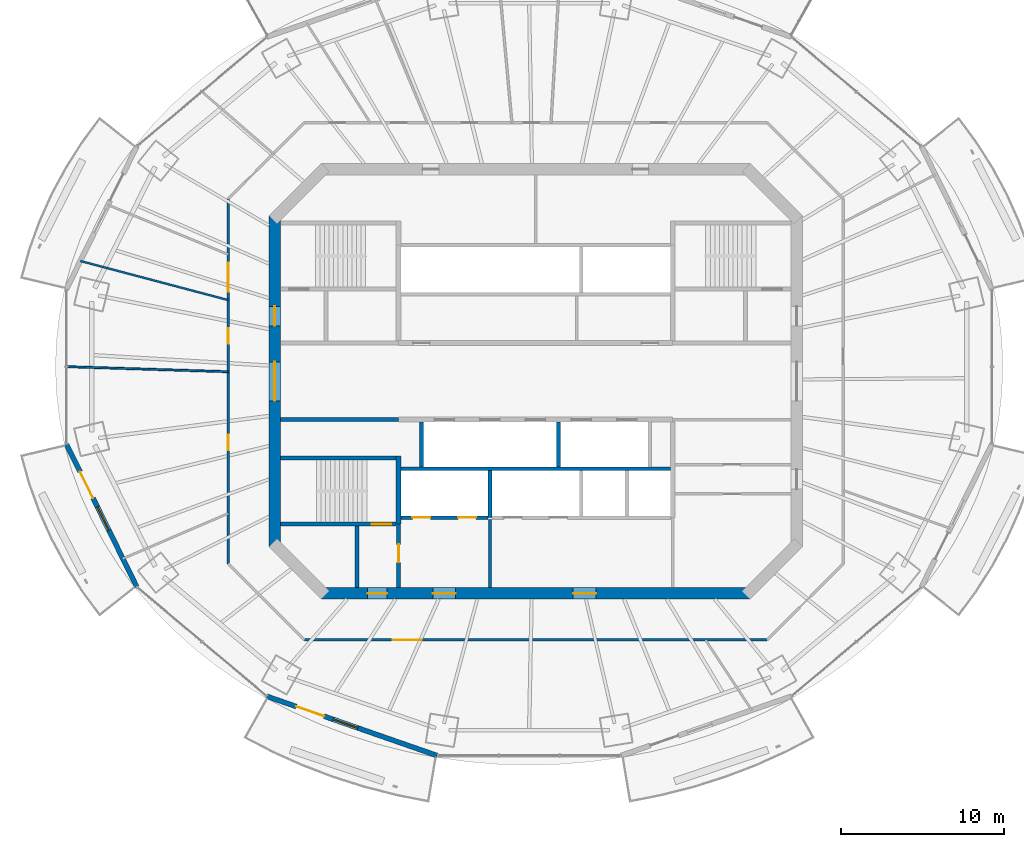
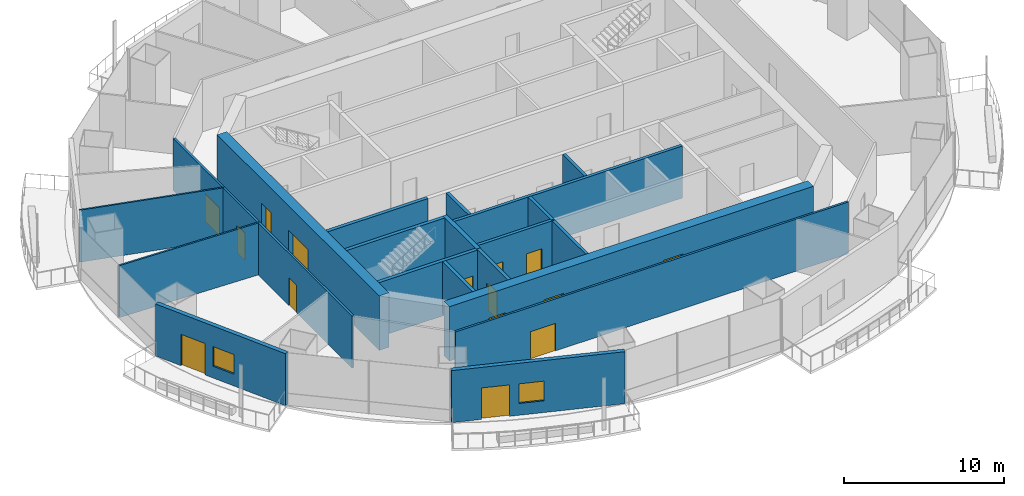
# One storey, part 8 of 16: 20 walls, 15 doors, 2 windows, 17 openings.
"""IFC4 building model written with IfcOpenShell, lengths in metres."""

from ifc_helpers import new_model, si_unit, direction, frame, frame_2d, origin, place, context, subcontext, project, spatial, rectangle, extrude, material, layer, layer_set, type_object, element, fill, save


model = new_model("IFC4")

# Units and contexts
model_context = context("Model", 3, precision=1e-05, world=origin(), true_north=direction((0.0, 1.0)))
body_context = subcontext(model_context, "Body", "Model", "MODEL_VIEW")
ifc_project = project(units=[si_unit("LENGTHUNIT", "METRE"), si_unit("AREAUNIT", "SQUARE_METRE"), si_unit("VOLUMEUNIT", "CUBIC_METRE"), si_unit("PLANEANGLEUNIT", "RADIAN"), si_unit("MASSUNIT", "GRAM", prefix="KILO")], contexts=[model_context])

# Site, building, storey
site_placement = place(None, origin())
site = spatial("IfcSite", under=ifc_project, at=site_placement, CompositionType="ELEMENT")
building_placement = place(site_placement, origin())
building = spatial("IfcBuilding", under=site, at=building_placement, Name="Marenthal Gate Tower", CompositionType="ELEMENT")
storey_placement = place(building_placement, frame((0.0, 0.0, 284.5)))
storey = spatial("IfcBuildingStorey", under=building, at=storey_placement, Name="L63", CompositionType="ELEMENT", Elevation=284.5)

# Wall, openings, doors
ifc_material_1 = material(Name="Concrete 60 MPa", Category="concrete")
ifc_layer_1 = layer(ifc_material_1, 0.699951171875)
ifc_layer_set_1 = layer_set([ifc_layer_1], Name="Core shear wall 700")
wall_type_1 = type_object("IfcWallType", Name="Core shear wall 700", PredefinedType="SHEAR", material=ifc_layer_set_1)
wall_1_placement = place(storey_placement, frame((-16.0, 10.14501953125, -0.179931640625), z_axis=(0.0, 0.0, 1.0), x_axis=(0.0, -1.0, 0.0)))
wall_1 = element("IfcWall", 1, at=wall_1_placement, inside=storey, type_object=wall_type_1, Name="Core wall 06", PredefinedType="SHEAR", context=body_context, shape_type="SweptSolid", body=[
    extrude(rectangle(XDim=20.2900390625, YDim=0.699951171875, at=frame_2d((10.14501953125, 0.0))), origin(), (0.0, 0.0, 1.0), 4.14990234375),
])
opening_1_placement = place(wall_1_placement, frame((8.945068359375, 0.0, 0.179931640625)))
opening_1 = element("IfcOpeningElement", 2, at=opening_1_placement, cuts=wall_1, Name="Opening D003.01", PredefinedType="OPENING", context=body_context, shape_type="SweptSolid", body=[
    extrude(rectangle(XDim=2.39990234375, YDim=2.10009765625, at=frame_2d((1.199951171875, 1.050048828125))), frame((0.0, 0.35986328125, 0.0), z_axis=(0.0, -1.0, 0.0), x_axis=(1.0, 0.0, 0.0)), (0.0, 0.0, 1.0), 0.719970703125),
])
opening_2_placement = place(wall_1_placement, frame((5.544921875, 0.0, 0.179931640625)))
opening_2 = element("IfcOpeningElement", 3, at=opening_2_placement, cuts=wall_1, Name="Opening D001.04", PredefinedType="OPENING", context=body_context, shape_type="SweptSolid", body=[
    extrude(rectangle(XDim=1.199951171875, YDim=2.10009765625, at=frame_2d((0.60009765625, 1.050048828125))), frame((0.0, 0.35986328125, 0.0), z_axis=(0.0, -1.0, 0.0), x_axis=(1.0, 0.0, 0.0)), (0.0, 0.0, 1.0), 0.719970703125),
])
ifc_material_2 = material(Name="Steel fire door", Category="steel")
door_type_1 = type_object("IfcDoorType", Name="Double fire door FD 45 2400 x 2100", OperationType="DOUBLE_DOOR_SINGLE_SWING", PredefinedType="DOOR", material=ifc_material_2)
door_1_placement = place(opening_1_placement, origin())
door_1 = element("IfcDoor", 4, at=door_1_placement, inside=storey, type_object=door_type_1, Name="Door D003.01", OperationType="DOUBLE_DOOR_SINGLE_SWING", OverallHeight=2.10009765625, OverallWidth=2.39990234375, PredefinedType="DOOR", context=body_context, shape_type="SweptSolid", body=[
    extrude(rectangle(XDim=2.39990234375, YDim=2.10009765625, at=frame_2d((1.199951171875, 1.050048828125))), frame((0.0, 0.02490234375, 0.0), z_axis=(0.0, -1.0, 0.0), x_axis=(1.0, 0.0, 0.0)), (0.0, 0.0, 1.0), 0.050048828125),
])
fill(opening_1, door_1)
ifc_material_3 = material(Name="Steel fire door", Category="steel")
door_type_2 = type_object("IfcDoorType", Name="Fire door FD 90 1200 x 2100", OperationType="NOTDEFINED", PredefinedType="DOOR", material=ifc_material_3)
door_2_placement = place(opening_2_placement, origin())
door_2 = element("IfcDoor", 5, at=door_2_placement, inside=storey, type_object=door_type_2, Name="Door D001.04", OperationType="SINGLE_SWING_RIGHT", OverallHeight=2.10009765625, OverallWidth=1.199951171875, PredefinedType="DOOR", context=body_context, shape_type="SweptSolid", body=[
    extrude(rectangle(XDim=1.199951171875, YDim=2.10009765625, at=frame_2d((0.60009765625, 1.050048828125))), frame((0.0, 0.02490234375, 0.0), z_axis=(0.0, -1.0, 0.0), x_axis=(1.0, 0.0, 0.0)), (0.0, 0.0, 1.0), 0.050048828125),
])
fill(opening_2, door_2)

wall_2_placement = place(storey_placement, frame((-13.14501953125, -13.0, -0.179931640625), z_axis=(0.0, 0.0, 1.0), x_axis=(1.0, 0.0, 0.0)))
wall_2 = element("IfcWall", 6, at=wall_2_placement, inside=storey, type_object=wall_type_1, Name="Core wall 08", PredefinedType="SHEAR", context=body_context, shape_type="SweptSolid", body=[
    extrude(rectangle(XDim=26.2900390625, YDim=0.699951171875, at=frame_2d((13.14501953125, 0.0))), origin(), (0.0, 0.0, 1.0), 4.14990234375),
])
opening_3_placement = place(wall_2_placement, frame((2.844970703125, 0.0, 0.179931640625)))
opening_3 = element("IfcOpeningElement", 7, at=opening_3_placement, cuts=wall_2, Name="Opening D001.06", PredefinedType="OPENING", context=body_context, shape_type="SweptSolid", body=[
    extrude(rectangle(XDim=1.199951171875, YDim=2.10009765625, at=frame_2d((0.60009765625, 1.050048828125))), frame((0.0, 0.35986328125, 0.0), z_axis=(0.0, -1.0, 0.0), x_axis=(1.0, 0.0, 0.0)), (0.0, 0.0, 1.0), 0.719970703125),
])
opening_4_placement = place(wall_2_placement, frame((6.844970703125, 0.0, 0.179931640625)))
opening_4 = element("IfcOpeningElement", 8, at=opening_4_placement, cuts=wall_2, Name="Opening D004.01", PredefinedType="OPENING", context=body_context, shape_type="SweptSolid", body=[
    extrude(rectangle(XDim=1.39990234375, YDim=2.10009765625, at=frame_2d((0.699951171875, 1.050048828125))), frame((0.0, 0.35986328125, 0.0), z_axis=(0.0, -1.0, 0.0), x_axis=(1.0, 0.0, 0.0)), (0.0, 0.0, 1.0), 0.719970703125),
])
opening_5_placement = place(wall_2_placement, frame((15.445068359375, 0.0, 0.179931640625)))
opening_5 = element("IfcOpeningElement", 9, at=opening_5_placement, cuts=wall_2, Name="Opening D004.02", PredefinedType="OPENING", context=body_context, shape_type="SweptSolid", body=[
    extrude(rectangle(XDim=1.39990234375, YDim=2.10009765625, at=frame_2d((0.699951171875, 1.050048828125))), frame((0.0, 0.35986328125, 0.0), z_axis=(0.0, -1.0, 0.0), x_axis=(1.0, 0.0, 0.0)), (0.0, 0.0, 1.0), 0.719970703125),
])
ifc_material_4 = material(Name="Steel fire door", Category="steel")
door_type_3 = type_object("IfcDoorType", Name="Fire door FD 45 1400 x 2100", OperationType="NOTDEFINED", PredefinedType="DOOR", material=ifc_material_4)
door_3_placement = place(opening_4_placement, origin())
door_3 = element("IfcDoor", 10, at=door_3_placement, inside=storey, type_object=door_type_3, Name="Door D004.01", OperationType="SINGLE_SWING_RIGHT", OverallHeight=2.10009765625, OverallWidth=1.39990234375, PredefinedType="DOOR", context=body_context, shape_type="SweptSolid", body=[
    extrude(rectangle(XDim=1.39990234375, YDim=2.10009765625, at=frame_2d((0.699951171875, 1.050048828125))), frame((0.0, 0.02490234375, 0.0), z_axis=(0.0, -1.0, 0.0), x_axis=(1.0, 0.0, 0.0)), (0.0, 0.0, 1.0), 0.050048828125),
])
fill(opening_4, door_3)
door_4_placement = place(opening_5_placement, origin())
door_4 = element("IfcDoor", 11, at=door_4_placement, inside=storey, type_object=door_type_3, Name="Door D004.02", OperationType="SINGLE_SWING_RIGHT", OverallHeight=2.10009765625, OverallWidth=1.39990234375, PredefinedType="DOOR", context=body_context, shape_type="SweptSolid", body=[
    extrude(rectangle(XDim=1.39990234375, YDim=2.10009765625, at=frame_2d((0.699951171875, 1.050048828125))), frame((0.0, 0.02490234375, 0.0), z_axis=(0.0, -1.0, 0.0), x_axis=(1.0, 0.0, 0.0)), (0.0, 0.0, 1.0), 0.050048828125),
])
fill(opening_5, door_4)
door_5_placement = place(opening_3_placement, origin())
door_5 = element("IfcDoor", 12, at=door_5_placement, inside=storey, type_object=door_type_2, Name="Door D001.06", OperationType="SINGLE_SWING_RIGHT", OverallHeight=2.10009765625, OverallWidth=1.199951171875, PredefinedType="DOOR", context=body_context, shape_type="SweptSolid", body=[
    extrude(rectangle(XDim=1.199951171875, YDim=2.10009765625, at=frame_2d((0.60009765625, 1.050048828125))), frame((0.0, 0.02490234375, 0.0), z_axis=(0.0, -1.0, 0.0), x_axis=(1.0, 0.0, 0.0)), (0.0, 0.0, 1.0), 0.050048828125),
])
fill(opening_3, door_5)

# Walls
ifc_material_5 = material(Name="Gypsum board on steel studs", Category="steel")
ifc_layer_2 = layer(ifc_material_5, 0.199951171875)
ifc_layer_set_2 = layer_set([ifc_layer_2], Name="Fire lobby wall 200")
wall_type_2 = type_object("IfcWallType", Name="Fire lobby wall 200", PredefinedType="PARTITIONING", material=ifc_layer_set_2)
wall_3_placement = place(storey_placement, frame((-2.800048828125, -12.64990234375, 0.0), z_axis=(0.0, 0.0, 1.0), x_axis=(0.0, 1.0, 0.0)))
element("IfcWall", 13, at=wall_3_placement, inside=storey, type_object=wall_type_2, Name="Fire wall 35", PredefinedType="PARTITIONING", context=body_context, shape_type="SweptSolid", body=[
    extrude(rectangle(XDim=4.18994140625, YDim=0.199951171875, at=frame_2d((2.094970703125, 0.0))), origin(), (0.0, 0.0, 1.0), 3.969970703125),
])
ifc_material_6 = material(Name="Concrete 50 MPa", Category="concrete")
ifc_layer_3 = layer(ifc_material_6, 0.300048828125)
ifc_layer_set_3 = layer_set([ifc_layer_3], Name="Hoistway shear wall 300")
wall_type_3 = type_object("IfcWallType", Name="Hoistway shear wall 300", PredefinedType="SHEAR", material=ifc_layer_set_3)
wall_4_placement = place(storey_placement, frame((-8.39990234375, -8.75, -0.179931640625), z_axis=(0.0, 0.0, 1.0), x_axis=(0.0, 1.0, 0.0)))
element("IfcWall", 14, at=wall_4_placement, inside=storey, type_object=wall_type_3, Name="Hoistway wall 31", PredefinedType="SHEAR", context=body_context, shape_type="SweptSolid", body=[
    extrude(rectangle(XDim=4.175048828125, YDim=0.300048828125, at=frame_2d((2.08740234375, 0.0))), origin(), (0.0, 0.0, 1.0), 4.14990234375),
])

# Wall, openings, doors
ifc_material_7 = material(Name="Concrete 40 MPa", Category="concrete")
ifc_layer_4 = layer(ifc_material_7, 0.219970703125)
ifc_layer_set_4 = layer_set([ifc_layer_4], Name="Hoistway wall 220")
wall_type_4 = type_object("IfcWallType", Name="Hoistway wall 220", PredefinedType="STANDARD", material=ifc_layer_set_4)
wall_5_placement = place(storey_placement, frame((-8.25, -8.35009765625, 0.0), z_axis=(0.0, 0.0, 1.0), x_axis=(1.0, 0.0, 0.0)))
wall_5 = element("IfcWall", 15, at=wall_5_placement, inside=storey, type_object=wall_type_4, Name="Hoistway wall 10", PredefinedType="STANDARD", context=body_context, shape_type="SweptSolid", body=[
    extrude(rectangle(XDim=5.340087890625, YDim=0.219970703125, at=frame_2d((2.669921875, 0.0))), origin(), (0.0, 0.0, 1.0), 3.969970703125),
])
opening_6_placement = place(wall_5_placement, frame((0.699951171875, 0.0, 0.0)))
opening_6 = element("IfcOpeningElement", 16, at=opening_6_placement, cuts=wall_5, Name="Opening LD-LF1", PredefinedType="OPENING", context=body_context, shape_type="SweptSolid", body=[
    extrude(rectangle(XDim=1.10009765625, YDim=2.10009765625, at=frame_2d((0.550048828125, 1.050048828125))), frame((0.0, 0.1201171875, 0.0), z_axis=(0.0, -1.0, 0.0), x_axis=(1.0, 0.0, 0.0)), (0.0, 0.0, 1.0), 0.239990234375),
])
opening_7_placement = place(wall_5_placement, frame((3.5, 0.0, 0.0)))
opening_7 = element("IfcOpeningElement", 17, at=opening_7_placement, cuts=wall_5, Name="Opening LD-LF2", PredefinedType="OPENING", context=body_context, shape_type="SweptSolid", body=[
    extrude(rectangle(XDim=1.10009765625, YDim=2.10009765625, at=frame_2d((0.550048828125, 1.050048828125))), frame((0.0, 0.1201171875, 0.0), z_axis=(0.0, -1.0, 0.0), x_axis=(1.0, 0.0, 0.0)), (0.0, 0.0, 1.0), 0.239990234375),
])
ifc_material_8 = material(Name="Stainless steel sliding door", Category="steel")
door_type_4 = type_object("IfcDoorType", Name="Lift landing door FD 90 1100 x 2100", OperationType="DOUBLE_DOOR_SLIDING", PredefinedType="DOOR", material=ifc_material_8)
door_6_placement = place(opening_6_placement, origin())
door_6 = element("IfcDoor", 18, at=door_6_placement, inside=storey, type_object=door_type_4, Name="Lift landing door LF1", OperationType="DOUBLE_DOOR_SLIDING", OverallHeight=2.10009765625, OverallWidth=1.10009765625, PredefinedType="DOOR", context=body_context, shape_type="SweptSolid", body=[
    extrude(rectangle(XDim=1.10009765625, YDim=2.10009765625, at=frame_2d((0.550048828125, 1.050048828125))), frame((0.0, 0.02490234375, 0.0), z_axis=(0.0, -1.0, 0.0), x_axis=(1.0, 0.0, 0.0)), (0.0, 0.0, 1.0), 0.050048828125),
])
fill(opening_6, door_6)
door_7_placement = place(opening_7_placement, origin())
door_7 = element("IfcDoor", 19, at=door_7_placement, inside=storey, type_object=door_type_4, Name="Lift landing door LF2", OperationType="DOUBLE_DOOR_SLIDING", OverallHeight=2.10009765625, OverallWidth=1.10009765625, PredefinedType="DOOR", context=body_context, shape_type="SweptSolid", body=[
    extrude(rectangle(XDim=1.10009765625, YDim=2.10009765625, at=frame_2d((0.550048828125, 1.050048828125))), frame((0.0, 0.02490234375, 0.0), z_axis=(0.0, -1.0, 0.0), x_axis=(1.0, 0.0, 0.0)), (0.0, 0.0, 1.0), 0.050048828125),
])
fill(opening_7, door_7)

# Walls
wall_6_placement = place(storey_placement, frame((-8.25, -5.35009765625, 0.0), z_axis=(0.0, 0.0, 1.0), x_axis=(1.0, 0.0, 0.0)))
element("IfcWall", 20, at=wall_6_placement, inside=storey, type_object=wall_type_4, Name="Hoistway wall 13", PredefinedType="STANDARD", context=body_context, shape_type="SweptSolid", body=[
    extrude(rectangle(XDim=16.5, YDim=0.219970703125, at=frame_2d((8.25, 0.0))), origin(), (0.0, 0.0, 1.0), 3.969970703125),
])
wall_7_placement = place(storey_placement, frame((-7.0, -5.239990234375, 0.0), z_axis=(0.0, 0.0, 1.0), x_axis=(0.0, 1.0, 0.0)))
element("IfcWall", 21, at=wall_7_placement, inside=storey, type_object=wall_type_4, Name="Hoistway wall 34", PredefinedType="STANDARD", context=body_context, shape_type="SweptSolid", body=[
    extrude(rectangle(XDim=2.739990234375, YDim=0.219970703125, at=frame_2d((1.3701171875, 0.0))), origin(), (0.0, 0.0, 1.0), 3.969970703125),
])
wall_8_placement = place(storey_placement, frame((-2.800048828125, -8.35009765625, 0.0), z_axis=(0.0, 0.0, 1.0), x_axis=(0.0, 1.0, 0.0)))
element("IfcWall", 22, at=wall_8_placement, inside=storey, type_object=wall_type_4, Name="Hoistway wall 36", PredefinedType="STANDARD", context=body_context, shape_type="SweptSolid", body=[
    extrude(rectangle(XDim=2.89013671875, YDim=0.219970703125, at=frame_2d((1.445068359375, 0.0))), origin(), (0.0, 0.0, 1.0), 3.969970703125),
])
wall_9_placement = place(storey_placement, frame((1.39990234375, -5.239990234375, 0.0), z_axis=(0.0, 0.0, 1.0), x_axis=(0.0, 1.0, 0.0)))
element("IfcWall", 23, at=wall_9_placement, inside=storey, type_object=wall_type_4, Name="Hoistway wall 38", PredefinedType="STANDARD", context=body_context, shape_type="SweptSolid", body=[
    extrude(rectangle(XDim=2.739990234375, YDim=0.219970703125, at=frame_2d((1.3701171875, 0.0))), origin(), (0.0, 0.0, 1.0), 3.969970703125),
])
ifc_material_9 = material(Name="Gypsum board on steel studs", Category="steel")
ifc_layer_5 = layer(ifc_material_9, 0.1201171875)
ifc_layer_set_5 = layer_set([ifc_layer_5], Name="Partition 120")
wall_type_5 = type_object("IfcWallType", Name="Partition 120", PredefinedType="PARTITIONING", material=ifc_layer_set_5)
wall_10_placement = place(storey_placement, frame((-18.85009765625, 0.58984375, 0.0), z_axis=(0.0, 0.0, 1.0), x_axis=(-0.999511114892, 0.031265495466, 0.0)))
element("IfcWall", 24, at=wall_10_placement, inside=storey, type_object=wall_type_5, Name="Partition wall 51", PredefinedType="PARTITIONING", context=body_context, shape_type="SweptSolid", body=[
    extrude(rectangle(XDim=9.9169921875, YDim=0.1201171875, at=frame_2d((4.95849609375, 0.0))), origin(), (0.0, 0.0, 1.0), 3.969970703125),
])
wall_11_placement = place(storey_placement, frame((-18.85009765625, 4.981689453125, 0.0), z_axis=(0.0, 0.0, 1.0), x_axis=(-0.96680393986, 0.255519357134, 0.0)))
element("IfcWall", 25, at=wall_11_placement, inside=storey, type_object=wall_type_5, Name="Partition wall 52", PredefinedType="PARTITIONING", context=body_context, shape_type="SweptSolid", body=[
    extrude(rectangle(XDim=9.368408203125, YDim=0.1201171875, at=frame_2d((4.68408203125, 0.0))), origin(), (0.0, 0.0, 1.0), 3.969970703125),
])

# Wall, openings, doors
ifc_material_10 = material(Name="Gypsum board on steel studs", Category="steel")
ifc_layer_6 = layer(ifc_material_10, 0.14990234375)
ifc_layer_set_6 = layer_set([ifc_layer_6], Name="Partition 150")
wall_type_6 = type_object("IfcWallType", Name="Partition 150", PredefinedType="PARTITIONING", material=ifc_layer_set_6)
wall_12_placement = place(storey_placement, frame((-18.85009765625, -11.180419921875, 0.0), z_axis=(0.0, 0.0, 1.0), x_axis=(0.0, 1.0, 0.0)))
wall_12 = element("IfcWall", 26, at=wall_12_placement, inside=storey, type_object=wall_type_6, Name="Partition wall 49", PredefinedType="PARTITIONING", context=body_context, shape_type="SweptSolid", body=[
    extrude(rectangle(XDim=22.36083984375, YDim=0.14990234375, at=frame_2d((11.180419921875, 0.0))), origin(), (0.0, 0.0, 1.0), 3.969970703125),
])
opening_8_placement = place(wall_12_placement, frame((16.659912109375, 0.0, 0.0)))
opening_8 = element("IfcOpeningElement", 27, at=opening_8_placement, cuts=wall_12, Name="Opening D014.01", PredefinedType="OPENING", context=body_context, shape_type="SweptSolid", body=[
    extrude(rectangle(XDim=1.800048828125, YDim=2.10009765625, at=frame_2d((0.89990234375, 1.050048828125))), frame((0.0, 0.0849609375, 0.0), z_axis=(0.0, -1.0, 0.0), x_axis=(1.0, 0.0, 0.0)), (0.0, 0.0, 1.0), 0.169921875),
])
opening_9_placement = place(wall_12_placement, frame((13.491943359375, 0.0, 0.0)))
opening_9 = element("IfcOpeningElement", 28, at=opening_9_placement, cuts=wall_12, Name="Opening D016.07", PredefinedType="OPENING", context=body_context, shape_type="SweptSolid", body=[
    extrude(rectangle(XDim=0.949951171875, YDim=2.10009765625, at=frame_2d((0.47509765625, 1.050048828125))), frame((0.0, 0.0849609375, 0.0), z_axis=(0.0, -1.0, 0.0), x_axis=(1.0, 0.0, 0.0)), (0.0, 0.0, 1.0), 0.169921875),
])
opening_10_placement = place(wall_12_placement, frame((6.951904296875, 0.0, 0.0)))
opening_10 = element("IfcOpeningElement", 29, at=opening_10_placement, cuts=wall_12, Name="Opening D016.08", PredefinedType="OPENING", context=body_context, shape_type="SweptSolid", body=[
    extrude(rectangle(XDim=0.949951171875, YDim=2.10009765625, at=frame_2d((0.47509765625, 1.050048828125))), frame((0.0, 0.0849609375, 0.0), z_axis=(0.0, -1.0, 0.0), x_axis=(1.0, 0.0, 0.0)), (0.0, 0.0, 1.0), 0.169921875),
])
ifc_material_11 = material(Name="Timber door", Category="wood")
door_type_5 = type_object("IfcDoorType", Name="Door 950 x 2100", OperationType="NOTDEFINED", PredefinedType="DOOR", material=ifc_material_11)
door_8_placement = place(opening_9_placement, origin())
door_8 = element("IfcDoor", 30, at=door_8_placement, inside=storey, type_object=door_type_5, Name="Door D016.07", OperationType="SINGLE_SWING_RIGHT", OverallHeight=2.10009765625, OverallWidth=0.949951171875, PredefinedType="DOOR", context=body_context, shape_type="SweptSolid", body=[
    extrude(rectangle(XDim=0.949951171875, YDim=2.10009765625, at=frame_2d((0.47509765625, 1.050048828125))), frame((0.0, 0.02490234375, 0.0), z_axis=(0.0, -1.0, 0.0), x_axis=(1.0, 0.0, 0.0)), (0.0, 0.0, 1.0), 0.050048828125),
])
fill(opening_9, door_8)
door_9_placement = place(opening_10_placement, frame((0.949951171875, 0.0, 0.0), z_axis=(0.0, 0.0, 1.0), x_axis=(-1.0, 0.0, 0.0)))
door_9 = element("IfcDoor", 31, at=door_9_placement, inside=storey, type_object=door_type_5, Name="Door D016.08", OperationType="SINGLE_SWING_LEFT", OverallHeight=2.10009765625, OverallWidth=0.949951171875, PredefinedType="DOOR", context=body_context, shape_type="SweptSolid", body=[
    extrude(rectangle(XDim=0.949951171875, YDim=2.10009765625, at=frame_2d((0.47509765625, 1.050048828125))), frame((0.0, 0.02490234375, 0.0), z_axis=(0.0, -1.0, 0.0), x_axis=(1.0, 0.0, 0.0)), (0.0, 0.0, 1.0), 0.050048828125),
])
fill(opening_10, door_9)
ifc_material_12 = material(Name="Timber door", Category="wood")
door_type_6 = type_object("IfcDoorType", Name="Double door 1800 x 2100", OperationType="DOUBLE_DOOR_SINGLE_SWING", PredefinedType="DOOR", material=ifc_material_12)
door_10_placement = place(opening_8_placement, origin())
door_10 = element("IfcDoor", 32, at=door_10_placement, inside=storey, type_object=door_type_6, Name="Door D014.01", OperationType="DOUBLE_DOOR_SINGLE_SWING", OverallHeight=2.10009765625, OverallWidth=1.800048828125, PredefinedType="DOOR", context=body_context, shape_type="SweptSolid", body=[
    extrude(rectangle(XDim=1.800048828125, YDim=2.10009765625, at=frame_2d((0.89990234375, 1.050048828125))), frame((0.0, 0.02490234375, 0.0), z_axis=(0.0, -1.0, 0.0), x_axis=(1.0, 0.0, 0.0)), (0.0, 0.0, 1.0), 0.050048828125),
])
fill(opening_8, door_10)

# Wall, opening, door
wall_13_placement = place(storey_placement, frame((14.180419921875, -15.85009765625, 0.0), z_axis=(0.0, 0.0, 1.0), x_axis=(-1.0, 0.0, 0.0)))
wall_13 = element("IfcWall", 33, at=wall_13_placement, inside=storey, type_object=wall_type_6, Name="Partition wall 63", PredefinedType="PARTITIONING", context=body_context, shape_type="SweptSolid", body=[
    extrude(rectangle(XDim=28.36083984375, YDim=0.14990234375, at=frame_2d((14.180419921875, 0.0))), origin(), (0.0, 0.0, 1.0), 3.969970703125),
])
opening_11_placement = place(wall_13_placement, frame((21.155029296875, 0.0, 0.0)))
opening_11 = element("IfcOpeningElement", 34, at=opening_11_placement, cuts=wall_13, Name="Opening D014.02", PredefinedType="OPENING", context=body_context, shape_type="SweptSolid", body=[
    extrude(rectangle(XDim=1.800048828125, YDim=2.10009765625, at=frame_2d((0.89990234375, 1.050048828125))), frame((0.0, 0.0849609375, 0.0), z_axis=(0.0, -1.0, 0.0), x_axis=(1.0, 0.0, 0.0)), (0.0, 0.0, 1.0), 0.169921875),
])
door_11_placement = place(opening_11_placement, origin())
door_11 = element("IfcDoor", 35, at=door_11_placement, inside=storey, type_object=door_type_6, Name="Door D014.02", OperationType="DOUBLE_DOOR_SINGLE_SWING", OverallHeight=2.10009765625, OverallWidth=1.800048828125, PredefinedType="DOOR", context=body_context, shape_type="SweptSolid", body=[
    extrude(rectangle(XDim=1.800048828125, YDim=2.10009765625, at=frame_2d((0.89990234375, 1.050048828125))), frame((0.0, 0.02490234375, 0.0), z_axis=(0.0, -1.0, 0.0), x_axis=(1.0, 0.0, 0.0)), (0.0, 0.0, 1.0), 0.050048828125),
])
fill(opening_11, door_11)

# Walls
ifc_material_13 = material(Name="Concrete 40 MPa", Category="concrete")
ifc_layer_7 = layer(ifc_material_13, 0.25)
ifc_layer_set_7 = layer_set([ifc_layer_7], Name="Stair enclosure wall 250")
wall_type_7 = type_object("IfcWallType", Name="Stair enclosure wall 250", PredefinedType="STANDARD", material=ifc_layer_set_7)
wall_14_placement = place(storey_placement, frame((-15.64990234375, -2.35009765625, 0.0), z_axis=(0.0, 0.0, 1.0), x_axis=(1.0, 0.0, 0.0)))
element("IfcWall", 36, at=wall_14_placement, inside=storey, type_object=wall_type_7, Name="Stair wall 16", PredefinedType="STANDARD", context=body_context, shape_type="SweptSolid", body=[
    extrude(rectangle(XDim=7.25, YDim=0.25, at=frame_2d((3.625, 0.0))), origin(), (0.0, 0.0, 1.0), 3.969970703125),
])
wall_15_placement = place(storey_placement, frame((-10.949951171875, -12.64990234375, 0.0), z_axis=(0.0, 0.0, 1.0), x_axis=(0.0, 1.0, 0.0)))
element("IfcWall", 37, at=wall_15_placement, inside=storey, type_object=wall_type_7, Name="Stair wall 29", PredefinedType="STANDARD", context=body_context, shape_type="SweptSolid", body=[
    extrude(rectangle(XDim=3.77490234375, YDim=0.25, at=frame_2d((1.887451171875, 0.0))), origin(), (0.0, 0.0, 1.0), 3.969970703125),
])

# Wall, opening, door
wall_16_placement = place(storey_placement, frame((-8.39990234375, -12.64990234375, 0.0), z_axis=(0.0, 0.0, 1.0), x_axis=(0.0, 1.0, 0.0)))
wall_16 = element("IfcWall", 38, at=wall_16_placement, inside=storey, type_object=wall_type_7, Name="Stair wall 30", PredefinedType="STANDARD", context=body_context, shape_type="SweptSolid", body=[
    extrude(rectangle(XDim=3.89990234375, YDim=0.25, at=frame_2d((1.949951171875, 0.0))), origin(), (0.0, 0.0, 1.0), 3.969970703125),
])
opening_12_placement = place(wall_16_placement, frame((1.550048828125, 0.0, 0.0)))
opening_12 = element("IfcOpeningElement", 39, at=opening_12_placement, cuts=wall_16, Name="Opening D002.01", PredefinedType="OPENING", context=body_context, shape_type="SweptSolid", body=[
    extrude(rectangle(XDim=1.10009765625, YDim=2.10009765625, at=frame_2d((0.550048828125, 1.050048828125))), frame((0.0, 0.135009765625, 0.0), z_axis=(0.0, -1.0, 0.0), x_axis=(1.0, 0.0, 0.0)), (0.0, 0.0, 1.0), 0.27001953125),
])
ifc_material_14 = material(Name="Steel fire door", Category="steel")
door_type_7 = type_object("IfcDoorType", Name="Fire door FD 90 1100 x 2100", OperationType="NOTDEFINED", PredefinedType="DOOR", material=ifc_material_14)
door_12_placement = place(opening_12_placement, origin())
door_12 = element("IfcDoor", 40, at=door_12_placement, inside=storey, type_object=door_type_7, Name="Door D002.01", OperationType="SINGLE_SWING_RIGHT", OverallHeight=2.10009765625, OverallWidth=1.10009765625, PredefinedType="DOOR", context=body_context, shape_type="SweptSolid", body=[
    extrude(rectangle(XDim=1.10009765625, YDim=2.10009765625, at=frame_2d((0.550048828125, 1.050048828125))), frame((0.0, 0.02490234375, 0.0), z_axis=(0.0, -1.0, 0.0), x_axis=(1.0, 0.0, 0.0)), (0.0, 0.0, 1.0), 0.050048828125),
])
fill(opening_12, door_12)

ifc_material_15 = material(Name="Concrete 50 MPa", Category="concrete")
ifc_layer_8 = layer(ifc_material_15, 0.25)
ifc_layer_set_8 = layer_set([ifc_layer_8], Name="Stair shear wall 250")
wall_type_8 = type_object("IfcWallType", Name="Stair shear wall 250", PredefinedType="SHEAR", material=ifc_layer_set_8)
wall_17_placement = place(storey_placement, frame((-15.64990234375, -8.75, -0.179931640625), z_axis=(0.0, 0.0, 1.0), x_axis=(1.0, 0.0, 0.0)))
wall_17 = element("IfcWall", 41, at=wall_17_placement, inside=storey, type_object=wall_type_8, Name="Stair wall 09", PredefinedType="SHEAR", context=body_context, shape_type="SweptSolid", body=[
    extrude(rectangle(XDim=7.099853515625, YDim=0.25, at=frame_2d((3.5498046875, 0.0))), origin(), (0.0, 0.0, 1.0), 4.14990234375),
])
opening_13_placement = place(wall_17_placement, frame((5.60009765625, 0.0, 0.179931640625)))
opening_13 = element("IfcOpeningElement", 42, at=opening_13_placement, cuts=wall_17, Name="Opening D001.03", PredefinedType="OPENING", context=body_context, shape_type="SweptSolid", body=[
    extrude(rectangle(XDim=1.199951171875, YDim=2.10009765625, at=frame_2d((0.60009765625, 1.050048828125))), frame((0.0, 0.135009765625, 0.0), z_axis=(0.0, -1.0, 0.0), x_axis=(1.0, 0.0, 0.0)), (0.0, 0.0, 1.0), 0.27001953125),
])
door_13_placement = place(opening_13_placement, origin())
door_13 = element("IfcDoor", 43, at=door_13_placement, inside=storey, type_object=door_type_2, Name="Door D001.03", OperationType="SINGLE_SWING_RIGHT", OverallHeight=2.10009765625, OverallWidth=1.199951171875, PredefinedType="DOOR", context=body_context, shape_type="SweptSolid", body=[
    extrude(rectangle(XDim=1.199951171875, YDim=2.10009765625, at=frame_2d((0.60009765625, 1.050048828125))), frame((0.0, 0.02490234375, 0.0), z_axis=(0.0, -1.0, 0.0), x_axis=(1.0, 0.0, 0.0)), (0.0, 0.0, 1.0), 0.050048828125),
])
fill(opening_13, door_13)

# Wall
wall_18_placement = place(storey_placement, frame((-15.64990234375, -4.699951171875, -0.179931640625), z_axis=(0.0, 0.0, 1.0), x_axis=(1.0, 0.0, 0.0)))
element("IfcWall", 44, at=wall_18_placement, inside=storey, type_object=wall_type_8, Name="Stair wall 15", PredefinedType="SHEAR", context=body_context, shape_type="SweptSolid", body=[
    extrude(rectangle(XDim=7.099853515625, YDim=0.25, at=frame_2d((3.5498046875, 0.0))), origin(), (0.0, 0.0, 1.0), 4.14990234375),
])

# Wall, openings, door, window
ifc_material_16 = material(Name="Terracotta cladding on insulated concrete-block backing", Category="masonry")
ifc_layer_9 = layer(ifc_material_16, 0.300048828125)
ifc_layer_set_9 = layer_set([ifc_layer_9], Name="Terracotta facade wall 300")
wall_type_9 = type_object("IfcWallType", Name="Terracotta facade wall 300", PredefinedType="SOLIDWALL", material=ifc_layer_set_9)
wall_19_placement = place(storey_placement, frame((-28.76220703125, -3.84130859375, 0.0), z_axis=(0.0, 0.0, 1.0), x_axis=(0.442086999908, -0.896972175997, 0.0)))
wall_19 = element("IfcWall", 45, at=wall_19_placement, inside=storey, type_object=wall_type_9, Name="Terracotta facade wall L63 bay 9", PredefinedType="SOLIDWALL", context=body_context, shape_type="SweptSolid", body=[
    extrude(rectangle(XDim=9.76708984375, YDim=0.300048828125, at=frame_2d((4.883544921875, 0.0))), origin(), (0.0, 0.0, 1.0), 3.969970703125),
])
opening_14_placement = place(wall_19_placement, frame((1.89990234375, 0.0, 0.0)))
opening_14 = element("IfcOpeningElement", 46, at=opening_14_placement, cuts=wall_19, Name="Opening BD-L63-09", PredefinedType="OPENING", context=body_context, shape_type="SweptSolid", body=[
    extrude(rectangle(XDim=1.800048828125, YDim=2.39990234375, at=frame_2d((0.89990234375, 1.199951171875))), frame((0.0, 0.16015625, 0.0), z_axis=(0.0, -1.0, 0.0), x_axis=(1.0, 0.0, 0.0)), (0.0, 0.0, 1.0), 0.320068359375),
])
opening_15_placement = place(wall_19_placement, frame((4.300048828125, 0.0, 0.89990234375)))
opening_15 = element("IfcOpeningElement", 47, at=opening_15_placement, cuts=wall_19, Name="Opening WN3-L63-09", PredefinedType="OPENING", context=body_context, shape_type="SweptSolid", body=[
    extrude(rectangle(XDim=1.60009765625, YDim=1.5, at=frame_2d((0.800048828125, 0.75))), frame((0.0, 0.16015625, 0.0), z_axis=(0.0, -1.0, 0.0), x_axis=(1.0, 0.0, 0.0)), (0.0, 0.0, 1.0), 0.320068359375),
])
ifc_material_17 = material(Name="Aluminium and glass", Category="aluminium")
door_type_8 = type_object("IfcDoorType", Name="Balcony door 1800x2400", OperationType="DOUBLE_DOOR_SINGLE_SWING", PredefinedType="DOOR", material=ifc_material_17)
door_14_placement = place(opening_14_placement, origin())
door_14 = element("IfcDoor", 48, at=door_14_placement, inside=storey, type_object=door_type_8, Name="Balcony door L63 bay 9", OperationType="SINGLE_SWING_LEFT", OverallHeight=2.39990234375, OverallWidth=1.800048828125, PredefinedType="DOOR", context=body_context, shape_type="SweptSolid", body=[
    extrude(rectangle(XDim=1.800048828125, YDim=2.39990234375, at=frame_2d((0.89990234375, 1.199951171875))), frame((0.0, 0.02490234375, 0.0), z_axis=(0.0, -1.0, 0.0), x_axis=(1.0, 0.0, 0.0)), (0.0, 0.0, 1.0), 0.050048828125),
])
fill(opening_14, door_14)
ifc_material_18 = material(Name="Aluminium and glass", Category="aluminium")
window_type = type_object("IfcWindowType", Name="Window 1600x1500", PartitioningType="DOUBLE_PANEL_VERTICAL", PredefinedType="WINDOW", material=ifc_material_18)
window_1_placement = place(opening_15_placement, origin())
window_1 = element("IfcWindow", 49, at=window_1_placement, inside=storey, type_object=window_type, Name="Window L63 bay 9", OverallHeight=1.5, OverallWidth=1.60009765625, PartitioningType="SINGLE_PANEL", PredefinedType="WINDOW", context=body_context, shape_type="SweptSolid", body=[
    extrude(rectangle(XDim=1.60009765625, YDim=1.5, at=frame_2d((0.800048828125, 0.75))), frame((0.0, 0.030029296875, 0.0), z_axis=(0.0, -1.0, 0.0), x_axis=(1.0, 0.0, 0.0)), (0.0, 0.0, 1.0), 0.06005859375),
])
fill(opening_15, window_1)

wall_20_placement = place(storey_placement, frame((-16.466064453125, -19.30712890625, 0.0), z_axis=(0.0, 0.0, 1.0), x_axis=(0.94441082719, -0.328767683155, 0.0)))
wall_20 = element("IfcWall", 50, at=wall_20_placement, inside=storey, type_object=wall_type_9, Name="Terracotta facade wall L63 bay 11", PredefinedType="SOLIDWALL", context=body_context, shape_type="SweptSolid", body=[
    extrude(rectangle(XDim=11.037841796875, YDim=0.300048828125, at=frame_2d((5.51904296875, 0.0))), origin(), (0.0, 0.0, 1.0), 3.969970703125),
])
opening_16_placement = place(wall_20_placement, frame((1.89990234375, 0.0, 0.0)))
opening_16 = element("IfcOpeningElement", 51, at=opening_16_placement, cuts=wall_20, Name="Opening BD-L63-11", PredefinedType="OPENING", context=body_context, shape_type="SweptSolid", body=[
    extrude(rectangle(XDim=1.800048828125, YDim=2.39990234375, at=frame_2d((0.89990234375, 1.199951171875))), frame((0.0, 0.16015625, 0.0), z_axis=(0.0, -1.0, 0.0), x_axis=(1.0, 0.0, 0.0)), (0.0, 0.0, 1.0), 0.320068359375),
])
opening_17_placement = place(wall_20_placement, frame((4.300048828125, 0.0, 0.89990234375)))
opening_17 = element("IfcOpeningElement", 52, at=opening_17_placement, cuts=wall_20, Name="Opening WN3-L63-11", PredefinedType="OPENING", context=body_context, shape_type="SweptSolid", body=[
    extrude(rectangle(XDim=1.60009765625, YDim=1.5, at=frame_2d((0.800048828125, 0.75))), frame((0.0, 0.16015625, 0.0), z_axis=(0.0, -1.0, 0.0), x_axis=(1.0, 0.0, 0.0)), (0.0, 0.0, 1.0), 0.320068359375),
])
door_15_placement = place(opening_16_placement, origin())
door_15 = element("IfcDoor", 53, at=door_15_placement, inside=storey, type_object=door_type_8, Name="Balcony door L63 bay 11", OperationType="SINGLE_SWING_LEFT", OverallHeight=2.39990234375, OverallWidth=1.800048828125, PredefinedType="DOOR", context=body_context, shape_type="SweptSolid", body=[
    extrude(rectangle(XDim=1.800048828125, YDim=2.39990234375, at=frame_2d((0.89990234375, 1.199951171875))), frame((0.0, 0.02490234375, 0.0), z_axis=(0.0, -1.0, 0.0), x_axis=(1.0, 0.0, 0.0)), (0.0, 0.0, 1.0), 0.050048828125),
])
fill(opening_16, door_15)
window_2_placement = place(opening_17_placement, origin())
window_2 = element("IfcWindow", 54, at=window_2_placement, inside=storey, type_object=window_type, Name="Window L63 bay 11", OverallHeight=1.5, OverallWidth=1.60009765625, PartitioningType="SINGLE_PANEL", PredefinedType="WINDOW", context=body_context, shape_type="SweptSolid", body=[
    extrude(rectangle(XDim=1.60009765625, YDim=1.5, at=frame_2d((0.800048828125, 0.75))), frame((0.0, 0.030029296875, 0.0), z_axis=(0.0, -1.0, 0.0), x_axis=(1.0, 0.0, 0.0)), (0.0, 0.0, 1.0), 0.06005859375),
])
fill(opening_17, window_2)

save(model, "model.ifc")
